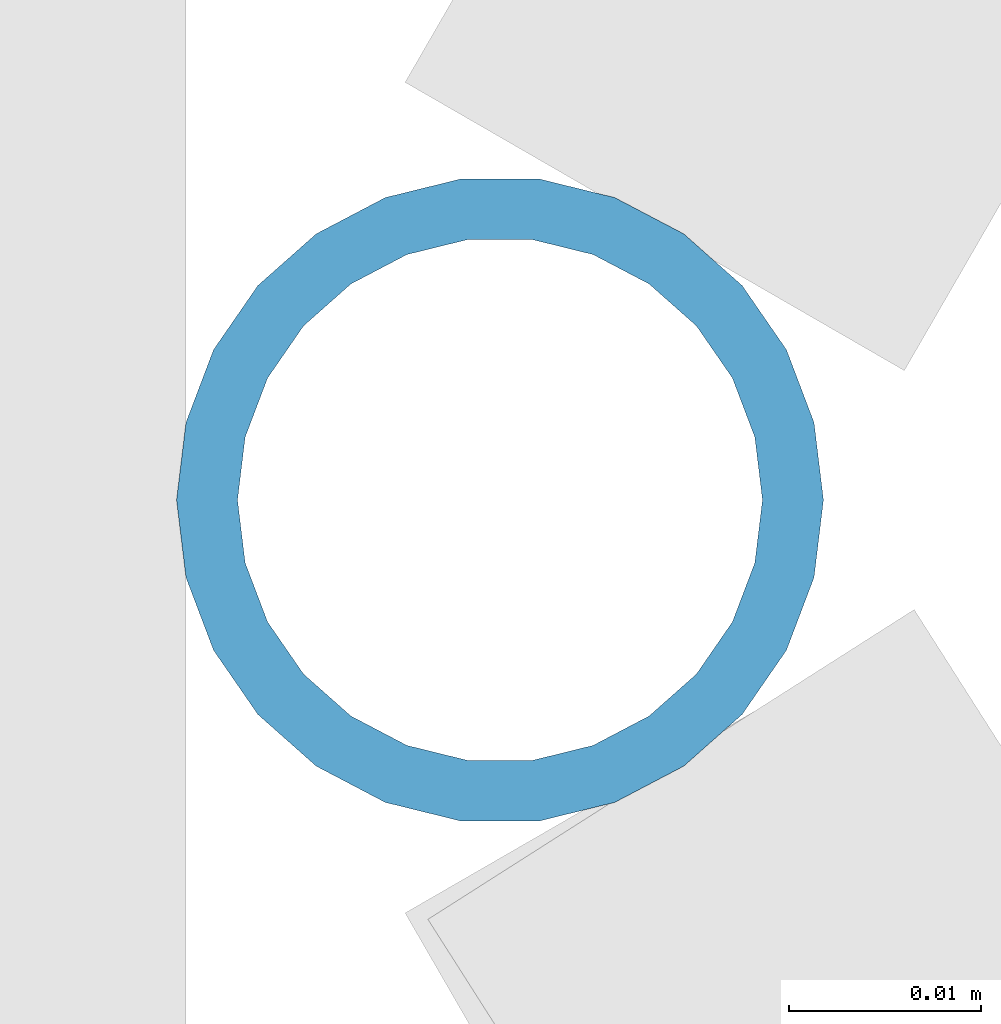
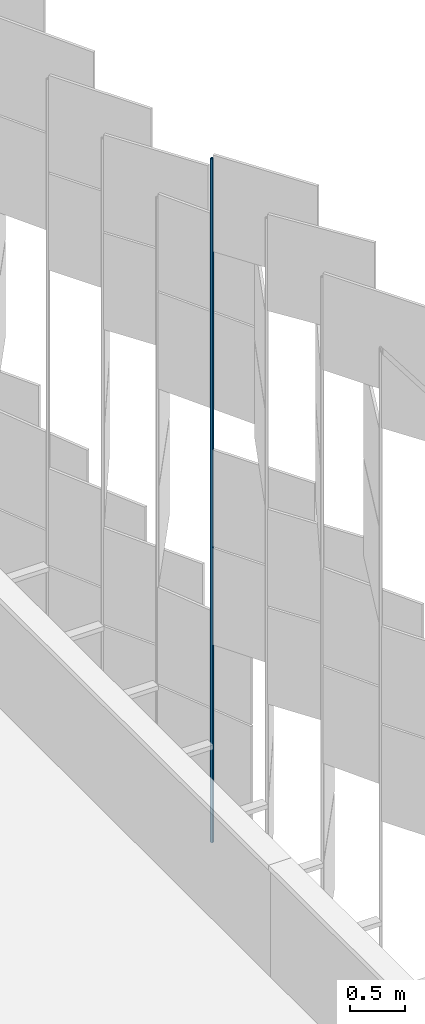
# One storey, part 276 of 483: 1 discrete accessory.
"""IFC4 building model written with IfcOpenShell, lengths in metres."""

from ifc_helpers import new_model, si_unit, direction, frame, origin, origin_2d, place, context, subcontext, project, spatial, hollow_circle, extrude, material, material_profile, profile_set, type_object, element, save


model = new_model("IFC4")

# Units and contexts
model_context = context("Model", 3, precision=1e-05, world=origin(), true_north=direction((0.0, 1.0)))
body_context = subcontext(model_context, "Body", "Model", "MODEL_VIEW")
ifc_project = project(units=[si_unit("LENGTHUNIT", "METRE"), si_unit("AREAUNIT", "SQUARE_METRE"), si_unit("VOLUMEUNIT", "CUBIC_METRE"), si_unit("PLANEANGLEUNIT", "RADIAN"), si_unit("MASSUNIT", "GRAM", prefix="KILO")], contexts=[model_context])

# Site, building, storey
site_placement = place(None, origin())
site = spatial("IfcSite", under=ifc_project, at=site_placement, CompositionType="ELEMENT")
building_placement = place(site_placement, origin())
building = spatial("IfcBuilding", under=site, at=building_placement, Name="Parallax Yard Mobility Hub", CompositionType="ELEMENT")
storey_placement = place(building_placement, frame((0.0, 0.0, 13.199951171875)))
storey = spatial("IfcBuildingStorey", under=building, at=storey_placement, Name="L04", CompositionType="ELEMENT", Elevation=13.199951171875)

# Discrete accessory
ifc_material = material(Name="Steel ASTM A500 Gr C, hot-dip galvanised", Category="steel")
ifc_material_profile = material_profile(ifc_material, hollow_circle(Radius=0.016845703125, WallThickness=0.003173828125, at=origin_2d()), Name="CHS 33.7x3.2")
ifc_profile_set = profile_set([ifc_material_profile], Name="Steel ASTM A500 Gr C, hot-dip galvanised")
discrete_accessory_type = type_object("IfcDiscreteAccessoryType", Name="Hinge post CHS 33.7x3.2", PredefinedType="BRACKET", material=ifc_profile_set)
discrete_accessory_placement = place(storey_placement, frame((225.370849609375, 77.1416015625, 0.0), z_axis=(0.0, 0.0, 1.0), x_axis=(1.0, 0.0, 0.0)))
element("IfcDiscreteAccessory", 1, at=discrete_accessory_placement, inside=storey, type_object=discrete_accessory_type, Name="Hinge post bay 39.3 level L04", PredefinedType="BRACKET", context=body_context, shape_type="SweptSolid", body=[
    extrude(hollow_circle(Radius=0.016845703125, WallThickness=0.003173828125, at=origin_2d()), origin(), (0.0, 0.0, 1.0), 7.650146484375),
])

save(model, "model.ifc")
